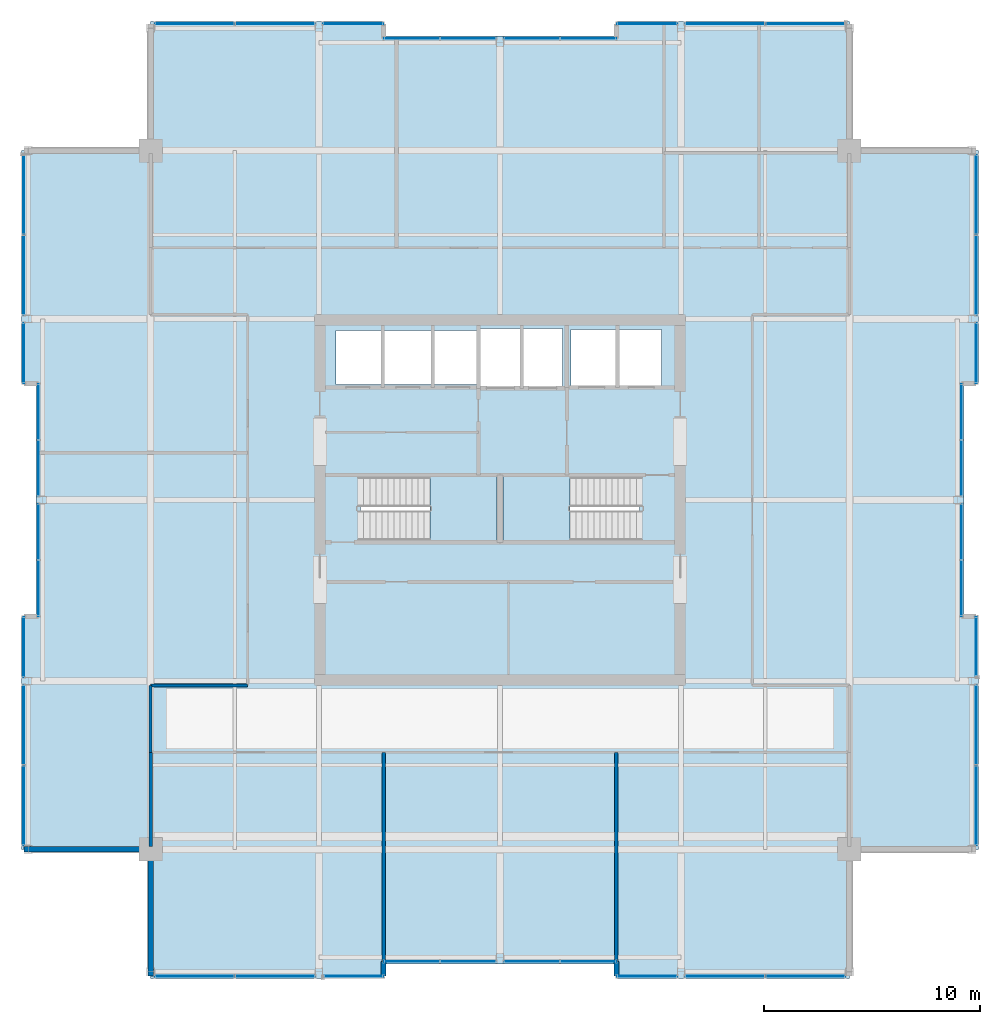
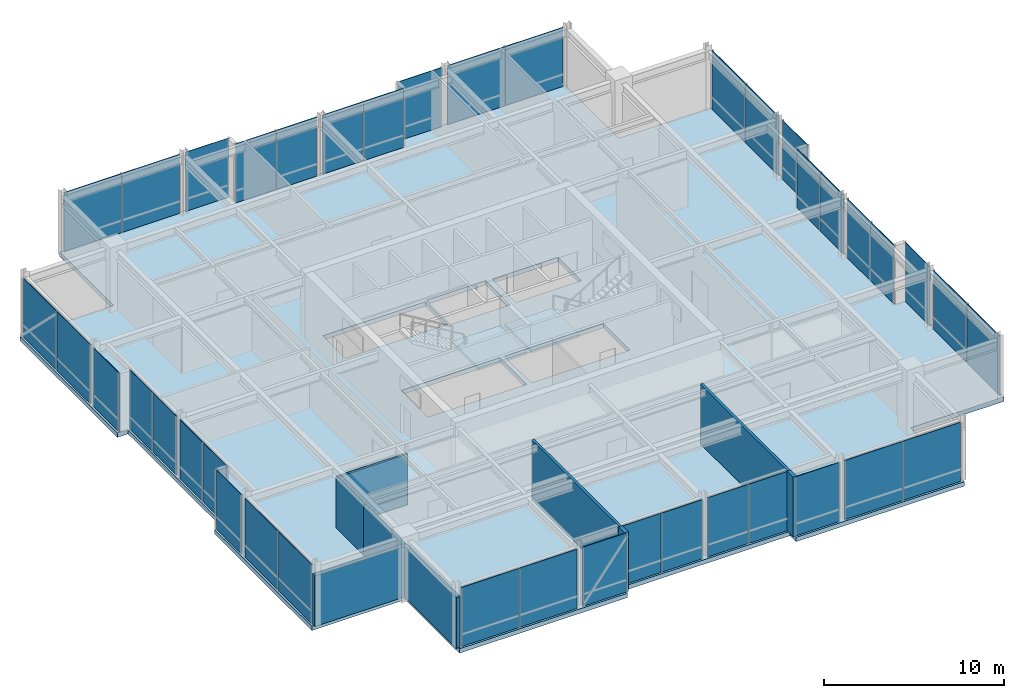
# One storey, part 28 of 33: 40 plates, 9 walls, 3 slabs, 26 elements without a shape of their own.
"""IFC4 building model written with IfcOpenShell, lengths in metres."""

from ifc_helpers import new_model, si_unit, direction, frame, frame_2d, origin, origin_2d, place, context, subcontext, project, spatial, polyline, rectangle, outline, extrude, material, layer, layer_set, type_object, element, aggregate, save


model = new_model("IFC4")

# Units and contexts
model_context = context("Model", 3, precision=1e-05, world=origin(), true_north=direction((0.0, 1.0)))
body_context = subcontext(model_context, "Body", "Model", "MODEL_VIEW")
ifc_project = project(units=[si_unit("LENGTHUNIT", "METRE"), si_unit("AREAUNIT", "SQUARE_METRE"), si_unit("VOLUMEUNIT", "CUBIC_METRE"), si_unit("PLANEANGLEUNIT", "RADIAN"), si_unit("MASSUNIT", "GRAM", prefix="KILO")], contexts=[model_context])

# Site, building, storey
site_placement = place(None, origin())
site = spatial("IfcSite", under=ifc_project, at=site_placement, CompositionType="ELEMENT")
building_placement = place(site_placement, origin())
building = spatial("IfcBuilding", under=site, at=building_placement, Name="Drelvath Grand Hotel", CompositionType="ELEMENT")
storey_placement = place(building_placement, frame((0.0, 0.0, 298.60009765625)))
storey = spatial("IfcBuildingStorey", under=building, at=storey_placement, Name="L78", CompositionType="ELEMENT", Elevation=298.60009765625)

# Slab
ifc_material_1 = material(Name="Concrete f'c 40 MPa", Category="concrete")
ifc_layer_1 = layer(ifc_material_1, 0.300048828125)
ifc_layer_set_1 = layer_set([ifc_layer_1], Name="Concrete f'c 40 MPa")
slab_type_1 = type_object("IfcSlabType", Name="Composite RC Floor Slab 300", PredefinedType="FLOOR", material=ifc_layer_set_1)
slab_1_placement = place(storey_placement, frame((0.0, 0.0, -0.300048828125)))
element("IfcSlab", 1, at=slab_1_placement, inside=storey, type_object=slab_type_1, Name="L78 Structural Floor Slab", PredefinedType="FLOOR", context=body_context, shape_type="SweptSolid", body=[
    extrude(outline(polyline([(-16.199951171875, 4.800048828125), (-5.39990234375, 4.800048828125), (-5.39990234375, 5.47998046875), (5.39990234375, 5.47998046875), (5.39990234375, 4.800048828125), (16.199951171875, 4.800048828125), (16.199951171875, 10.800048828125), (22.199951171875, 10.800048828125), (22.199951171875, 21.60009765625), (21.52001953125, 21.60009765625), (21.52001953125, 32.39990234375), (22.199951171875, 32.39990234375), (22.199951171875, 43.199951171875), (16.199951171875, 43.199951171875), (16.199951171875, 49.199951171875), (5.39990234375, 49.199951171875), (5.39990234375, 48.52001953125), (-5.39990234375, 48.52001953125), (-5.39990234375, 49.199951171875), (-16.199951171875, 49.199951171875), (-16.199951171875, 43.199951171875), (-22.199951171875, 43.199951171875), (-22.199951171875, 32.39990234375), (-21.52001953125, 32.39990234375), (-21.52001953125, 21.60009765625), (-22.199951171875, 21.60009765625), (-22.199951171875, 10.800048828125), (-16.199951171875, 10.800048828125), (-16.199951171875, 4.800048828125)]), holes=[polyline([(-6.47998046875, 25.1201171875), (-6.47998046875, 28.080078125), (-0.14990234375, 28.080078125), (-0.14990234375, 25.1201171875), (-6.47998046875, 25.1201171875)]), polyline([(0.14990234375, 25.1201171875), (0.14990234375, 28.080078125), (6.47998046875, 28.080078125), (6.47998046875, 25.1201171875), (0.14990234375, 25.1201171875)]), polyline([(-7.60009765625, 32.35009765625), (-7.60009765625, 34.85009765625), (-1.02001953125, 34.85009765625), (-1.02001953125, 32.35009765625), (-7.60009765625, 32.35009765625)]), polyline([(-0.89990234375, 32.25), (-0.89990234375, 34.949951171875), (2.89990234375, 34.949951171875), (2.89990234375, 32.25), (-0.89990234375, 32.25)]), polyline([(3.300048828125, 32.300048828125), (3.300048828125, 34.89990234375), (7.5, 34.89990234375), (7.5, 32.300048828125), (3.300048828125, 32.300048828125)])]), origin(), (0.0, 0.0, 1.0), 0.300048828125),
])

# Stair, slab
ifc_material_2 = material(Name="Concrete C40/50", Category="concrete")
stair_type = type_object("IfcStairType", Name="Dogleg Exit Stair W1400-R169.2", PredefinedType="HALF_TURN_STAIR", material=ifc_material_2)
stair_1_placement = place(storey_placement, origin())
stair_1 = element("IfcStair", 2, at=stair_1_placement, inside=storey, type_object=stair_type, Name="L78 Core Exit Stair ST-1", PredefinedType="HALF_TURN_STAIR")
ifc_layer_2 = layer(ifc_material_2, 0.199951171875)
ifc_layer_set_2 = layer_set([ifc_layer_2], Name="Concrete C40/50")
slab_type_2 = type_object("IfcSlabType", Name="Concrete Stair Landing Slab 200", PredefinedType="LANDING", material=ifc_layer_set_2)
slab_2_placement = place(storey_placement, frame((0.0, 0.0, 2.0)))
slab_2 = element("IfcSlab", 3, at=slab_2_placement, type_object=slab_type_2, Name="ST-1 landing 1", PredefinedType="LANDING", context=body_context, shape_type="SweptSolid", body=[
    extrude(outline(polyline([(-3.239990234375, 25.1201171875), (-0.14990234375, 25.1201171875), (-0.14990234375, 28.080078125), (-3.239990234375, 28.080078125), (-3.239990234375, 25.1201171875)])), origin(), (0.0, 0.0, 1.0), 0.199951171875),
])
aggregate(stair_1, [slab_2])

stair_2_placement = place(storey_placement, origin())
stair_2 = element("IfcStair", 4, at=stair_2_placement, inside=storey, type_object=stair_type, Name="L78 Core Exit Stair ST-2", PredefinedType="HALF_TURN_STAIR")
slab_3_placement = place(storey_placement, frame((0.0, 0.0, 2.0)))
slab_3 = element("IfcSlab", 5, at=slab_3_placement, type_object=slab_type_2, Name="ST-2 landing 1", PredefinedType="LANDING", context=body_context, shape_type="SweptSolid", body=[
    extrude(outline(polyline([(3.239990234375, 28.080078125), (0.14990234375, 28.080078125), (0.14990234375, 25.1201171875), (3.239990234375, 25.1201171875), (3.239990234375, 28.080078125)])), origin(), (0.0, 0.0, 1.0), 0.199951171875),
])
aggregate(stair_2, [slab_3])

# Curtain wall, plates
ifc_material_3 = material(Name="Platinum-Mist Anodised Aluminium Frame", Category="aluminium")
ifc_layer_3 = layer(ifc_material_3, 0.199951171875)
ifc_layer_set_3 = layer_set([ifc_layer_3], Name="Platinum-Mist Anodised Aluminium Frame")
curtain_wall_type = type_object("IfcCurtainWallType", Name="Stick Curtain Wall CW-05 Platinum Mist High-Rise", PredefinedType="NOTDEFINED", material=ifc_layer_set_3)
curtain_wall_1_placement = place(storey_placement, origin())
curtain_wall_1 = element("IfcCurtainWall", 6, at=curtain_wall_1_placement, inside=storey, type_object=curtain_wall_type, Name="L78 CW-05 Curtain Wall CW05-L78-WS1", PredefinedType="NOTDEFINED")
ifc_material_4 = material(Name="Low-E Triple Silver High-Altitude Glass", Category="glass")
ifc_layer_4 = layer(ifc_material_4, 0.035888671875)
ifc_layer_set_4 = layer_set([ifc_layer_4], Name="Low-E Triple Silver High-Altitude Glass")
plate_type = type_object("IfcPlateType", Name="Curtain Wall Vision Panel CW-05 36mm", PredefinedType="CURTAIN_PANEL", material=ifc_layer_set_4)
plate_1_placement = place(storey_placement, frame((-22.080078125, 12.835205078125, 0.02001953125), z_axis=(0.0, 0.0, 1.0), x_axis=(0.0, 1.0, 0.0)))
plate_1 = element("IfcPlate", 7, at=plate_1_placement, type_object=plate_type, Name="CW05-L78-WS1 Glazed Panel 1", PredefinedType="CURTAIN_PANEL", context=body_context, shape_type="SweptSolid", body=[
    extrude(rectangle(XDim=3.68994140625, YDim=0.035888671875, at=origin_2d()), origin(), (0.0, 0.0, 1.0), 4.010009765625),
])
plate_2_placement = place(storey_placement, frame((-22.080078125, 16.56494140625, 0.02001953125), z_axis=(0.0, 0.0, 1.0), x_axis=(0.0, 1.0, 0.0)))
plate_2 = element("IfcPlate", 8, at=plate_2_placement, type_object=plate_type, Name="CW05-L78-WS1 Glazed Panel 2", PredefinedType="CURTAIN_PANEL", context=body_context, shape_type="SweptSolid", body=[
    extrude(rectangle(XDim=3.68994140625, YDim=0.035888671875, at=origin_2d()), origin(), (0.0, 0.0, 1.0), 4.010009765625),
])
aggregate(curtain_wall_1, [plate_1, plate_2])

# Curtain wall, plate
curtain_wall_2_placement = place(storey_placement, origin())
curtain_wall_2 = element("IfcCurtainWall", 9, at=curtain_wall_2_placement, inside=storey, type_object=curtain_wall_type, Name="L78 CW-05 Curtain Wall CW05-L78-WS2", PredefinedType="NOTDEFINED")
plate_3_placement = place(storey_placement, frame((-22.080078125, 20.18505859375, 0.02001953125), z_axis=(0.0, 0.0, 1.0), x_axis=(0.0, 1.0, 0.0)))
plate_3 = element("IfcPlate", 10, at=plate_3_placement, type_object=plate_type, Name="CW05-L78-WS2 Glazed Panel 1", PredefinedType="CURTAIN_PANEL", context=body_context, shape_type="SweptSolid", body=[
    extrude(rectangle(XDim=2.789794921875, YDim=0.035888671875, at=origin_2d()), origin(), (0.0, 0.0, 1.0), 4.010009765625),
])
aggregate(curtain_wall_2, [plate_3])

# Curtain wall, plates
curtain_wall_3_placement = place(storey_placement, origin())
curtain_wall_3 = element("IfcCurtainWall", 11, at=curtain_wall_3_placement, inside=storey, type_object=curtain_wall_type, Name="L78 CW-05 Curtain Wall CW05-L78-WM1", PredefinedType="NOTDEFINED")
plate_4_placement = place(storey_placement, frame((-21.39990234375, 22.907470703125, 0.02001953125), z_axis=(0.0, 0.0, 1.0), x_axis=(0.0, 1.0, 0.0)))
plate_4 = element("IfcPlate", 12, at=plate_4_placement, type_object=plate_type, Name="CW05-L78-WM1 Glazed Panel 1", PredefinedType="CURTAIN_PANEL", context=body_context, shape_type="SweptSolid", body=[
    extrude(rectangle(XDim=2.574951171875, YDim=0.035888671875, at=origin_2d()), origin(), (0.0, 0.0, 1.0), 4.010009765625),
])
plate_5_placement = place(storey_placement, frame((-21.39990234375, 25.5224609375, 0.02001953125), z_axis=(0.0, 0.0, 1.0), x_axis=(0.0, 1.0, 0.0)))
plate_5 = element("IfcPlate", 13, at=plate_5_placement, type_object=plate_type, Name="CW05-L78-WM1 Glazed Panel 2", PredefinedType="CURTAIN_PANEL", context=body_context, shape_type="SweptSolid", body=[
    extrude(rectangle(XDim=2.574951171875, YDim=0.035888671875, at=origin_2d()), origin(), (0.0, 0.0, 1.0), 4.010009765625),
])
aggregate(curtain_wall_3, [plate_4, plate_5])

curtain_wall_4_placement = place(storey_placement, origin())
curtain_wall_4 = element("IfcCurtainWall", 14, at=curtain_wall_4_placement, inside=storey, type_object=curtain_wall_type, Name="L78 CW-05 Curtain Wall CW05-L78-WM2", PredefinedType="NOTDEFINED")
plate_6_placement = place(storey_placement, frame((-21.39990234375, 28.4775390625, 0.02001953125), z_axis=(0.0, 0.0, 1.0), x_axis=(0.0, 1.0, 0.0)))
plate_6 = element("IfcPlate", 15, at=plate_6_placement, type_object=plate_type, Name="CW05-L78-WM2 Glazed Panel 1", PredefinedType="CURTAIN_PANEL", context=body_context, shape_type="SweptSolid", body=[
    extrude(rectangle(XDim=2.574951171875, YDim=0.035888671875, at=origin_2d()), origin(), (0.0, 0.0, 1.0), 4.010009765625),
])
plate_7_placement = place(storey_placement, frame((-21.39990234375, 31.092529296875, 0.02001953125), z_axis=(0.0, 0.0, 1.0), x_axis=(0.0, 1.0, 0.0)))
plate_7 = element("IfcPlate", 16, at=plate_7_placement, type_object=plate_type, Name="CW05-L78-WM2 Glazed Panel 2", PredefinedType="CURTAIN_PANEL", context=body_context, shape_type="SweptSolid", body=[
    extrude(rectangle(XDim=2.574951171875, YDim=0.035888671875, at=origin_2d()), origin(), (0.0, 0.0, 1.0), 4.010009765625),
])
aggregate(curtain_wall_4, [plate_6, plate_7])

# Curtain wall, plate
curtain_wall_5_placement = place(storey_placement, origin())
curtain_wall_5 = element("IfcCurtainWall", 17, at=curtain_wall_5_placement, inside=storey, type_object=curtain_wall_type, Name="L78 CW-05 Curtain Wall CW05-L78-WN1", PredefinedType="NOTDEFINED")
plate_8_placement = place(storey_placement, frame((-22.080078125, 33.81494140625, 0.02001953125), z_axis=(0.0, 0.0, 1.0), x_axis=(0.0, 1.0, 0.0)))
plate_8 = element("IfcPlate", 18, at=plate_8_placement, type_object=plate_type, Name="CW05-L78-WN1 Glazed Panel 1", PredefinedType="CURTAIN_PANEL", context=body_context, shape_type="SweptSolid", body=[
    extrude(rectangle(XDim=2.7900390625, YDim=0.035888671875, at=origin_2d()), origin(), (0.0, 0.0, 1.0), 4.010009765625),
])
aggregate(curtain_wall_5, [plate_8])

# Curtain wall, plates
curtain_wall_6_placement = place(storey_placement, origin())
curtain_wall_6 = element("IfcCurtainWall", 19, at=curtain_wall_6_placement, inside=storey, type_object=curtain_wall_type, Name="L78 CW-05 Curtain Wall CW05-L78-WN2", PredefinedType="NOTDEFINED")
plate_9_placement = place(storey_placement, frame((-22.080078125, 37.43505859375, 0.02001953125), z_axis=(0.0, 0.0, 1.0), x_axis=(0.0, 1.0, 0.0)))
plate_9 = element("IfcPlate", 20, at=plate_9_placement, type_object=plate_type, Name="CW05-L78-WN2 Glazed Panel 1", PredefinedType="CURTAIN_PANEL", context=body_context, shape_type="SweptSolid", body=[
    extrude(rectangle(XDim=3.68994140625, YDim=0.035888671875, at=origin_2d()), origin(), (0.0, 0.0, 1.0), 4.010009765625),
])
plate_10_placement = place(storey_placement, frame((-22.080078125, 41.1650390625, 0.02001953125), z_axis=(0.0, 0.0, 1.0), x_axis=(0.0, 1.0, 0.0)))
plate_10 = element("IfcPlate", 21, at=plate_10_placement, type_object=plate_type, Name="CW05-L78-WN2 Glazed Panel 2", PredefinedType="CURTAIN_PANEL", context=body_context, shape_type="SweptSolid", body=[
    extrude(rectangle(XDim=3.68994140625, YDim=0.035888671875, at=origin_2d()), origin(), (0.0, 0.0, 1.0), 4.010009765625),
])
aggregate(curtain_wall_6, [plate_9, plate_10])

# Curtain wall, plate
curtain_wall_7_placement = place(storey_placement, origin())
curtain_wall_7 = element("IfcCurtainWall", 22, at=curtain_wall_7_placement, inside=storey, type_object=curtain_wall_type, Name="L78 CW-05 Curtain Wall CW05-L78-EN1", PredefinedType="NOTDEFINED")
plate_11_placement = place(storey_placement, frame((22.080078125, 33.81494140625, 0.02001953125), z_axis=(0.0, 0.0, 1.0), x_axis=(0.0, -1.0, 0.0)))
plate_11 = element("IfcPlate", 23, at=plate_11_placement, type_object=plate_type, Name="CW05-L78-EN1 Glazed Panel 1", PredefinedType="CURTAIN_PANEL", context=body_context, shape_type="SweptSolid", body=[
    extrude(rectangle(XDim=2.7900390625, YDim=0.035888671875, at=origin_2d()), origin(), (0.0, 0.0, 1.0), 4.010009765625),
])
aggregate(curtain_wall_7, [plate_11])

# Curtain wall, plates
curtain_wall_8_placement = place(storey_placement, origin())
curtain_wall_8 = element("IfcCurtainWall", 24, at=curtain_wall_8_placement, inside=storey, type_object=curtain_wall_type, Name="L78 CW-05 Curtain Wall CW05-L78-EN2", PredefinedType="NOTDEFINED")
plate_12_placement = place(storey_placement, frame((22.080078125, 41.1650390625, 0.02001953125), z_axis=(0.0, 0.0, 1.0), x_axis=(0.0, -1.0, 0.0)))
plate_12 = element("IfcPlate", 25, at=plate_12_placement, type_object=plate_type, Name="CW05-L78-EN2 Glazed Panel 1", PredefinedType="CURTAIN_PANEL", context=body_context, shape_type="SweptSolid", body=[
    extrude(rectangle(XDim=3.68994140625, YDim=0.035888671875, at=origin_2d()), origin(), (0.0, 0.0, 1.0), 4.010009765625),
])
plate_13_placement = place(storey_placement, frame((22.080078125, 37.43505859375, 0.02001953125), z_axis=(0.0, 0.0, 1.0), x_axis=(0.0, -1.0, 0.0)))
plate_13 = element("IfcPlate", 26, at=plate_13_placement, type_object=plate_type, Name="CW05-L78-EN2 Glazed Panel 2", PredefinedType="CURTAIN_PANEL", context=body_context, shape_type="SweptSolid", body=[
    extrude(rectangle(XDim=3.68994140625, YDim=0.035888671875, at=origin_2d()), origin(), (0.0, 0.0, 1.0), 4.010009765625),
])
aggregate(curtain_wall_8, [plate_12, plate_13])

curtain_wall_9_placement = place(storey_placement, origin())
curtain_wall_9 = element("IfcCurtainWall", 27, at=curtain_wall_9_placement, inside=storey, type_object=curtain_wall_type, Name="L78 CW-05 Curtain Wall CW05-L78-EM1", PredefinedType="NOTDEFINED")
plate_14_placement = place(storey_placement, frame((21.39990234375, 25.5224609375, 0.02001953125), z_axis=(0.0, 0.0, 1.0), x_axis=(0.0, -1.0, 0.0)))
plate_14 = element("IfcPlate", 28, at=plate_14_placement, type_object=plate_type, Name="CW05-L78-EM1 Glazed Panel 1", PredefinedType="CURTAIN_PANEL", context=body_context, shape_type="SweptSolid", body=[
    extrude(rectangle(XDim=2.574951171875, YDim=0.035888671875, at=origin_2d()), origin(), (0.0, 0.0, 1.0), 4.010009765625),
])
plate_15_placement = place(storey_placement, frame((21.39990234375, 22.907470703125, 0.02001953125), z_axis=(0.0, 0.0, 1.0), x_axis=(0.0, -1.0, 0.0)))
plate_15 = element("IfcPlate", 29, at=plate_15_placement, type_object=plate_type, Name="CW05-L78-EM1 Glazed Panel 2", PredefinedType="CURTAIN_PANEL", context=body_context, shape_type="SweptSolid", body=[
    extrude(rectangle(XDim=2.574951171875, YDim=0.035888671875, at=origin_2d()), origin(), (0.0, 0.0, 1.0), 4.010009765625),
])
aggregate(curtain_wall_9, [plate_14, plate_15])

curtain_wall_10_placement = place(storey_placement, origin())
curtain_wall_10 = element("IfcCurtainWall", 30, at=curtain_wall_10_placement, inside=storey, type_object=curtain_wall_type, Name="L78 CW-05 Curtain Wall CW05-L78-EM2", PredefinedType="NOTDEFINED")
plate_16_placement = place(storey_placement, frame((21.39990234375, 31.092529296875, 0.02001953125), z_axis=(0.0, 0.0, 1.0), x_axis=(0.0, -1.0, 0.0)))
plate_16 = element("IfcPlate", 31, at=plate_16_placement, type_object=plate_type, Name="CW05-L78-EM2 Glazed Panel 1", PredefinedType="CURTAIN_PANEL", context=body_context, shape_type="SweptSolid", body=[
    extrude(rectangle(XDim=2.574951171875, YDim=0.035888671875, at=origin_2d()), origin(), (0.0, 0.0, 1.0), 4.010009765625),
])
plate_17_placement = place(storey_placement, frame((21.39990234375, 28.4775390625, 0.02001953125), z_axis=(0.0, 0.0, 1.0), x_axis=(0.0, -1.0, 0.0)))
plate_17 = element("IfcPlate", 32, at=plate_17_placement, type_object=plate_type, Name="CW05-L78-EM2 Glazed Panel 2", PredefinedType="CURTAIN_PANEL", context=body_context, shape_type="SweptSolid", body=[
    extrude(rectangle(XDim=2.574951171875, YDim=0.035888671875, at=origin_2d()), origin(), (0.0, 0.0, 1.0), 4.010009765625),
])
aggregate(curtain_wall_10, [plate_16, plate_17])

curtain_wall_11_placement = place(storey_placement, origin())
curtain_wall_11 = element("IfcCurtainWall", 33, at=curtain_wall_11_placement, inside=storey, type_object=curtain_wall_type, Name="L78 CW-05 Curtain Wall CW05-L78-ES1", PredefinedType="NOTDEFINED")
plate_18_placement = place(storey_placement, frame((22.080078125, 16.56494140625, 0.02001953125), z_axis=(0.0, 0.0, 1.0), x_axis=(0.0, -1.0, 0.0)))
plate_18 = element("IfcPlate", 34, at=plate_18_placement, type_object=plate_type, Name="CW05-L78-ES1 Glazed Panel 1", PredefinedType="CURTAIN_PANEL", context=body_context, shape_type="SweptSolid", body=[
    extrude(rectangle(XDim=3.68994140625, YDim=0.035888671875, at=origin_2d()), origin(), (0.0, 0.0, 1.0), 4.010009765625),
])
plate_19_placement = place(storey_placement, frame((22.080078125, 12.835205078125, 0.02001953125), z_axis=(0.0, 0.0, 1.0), x_axis=(0.0, -1.0, 0.0)))
plate_19 = element("IfcPlate", 35, at=plate_19_placement, type_object=plate_type, Name="CW05-L78-ES1 Glazed Panel 2", PredefinedType="CURTAIN_PANEL", context=body_context, shape_type="SweptSolid", body=[
    extrude(rectangle(XDim=3.68994140625, YDim=0.035888671875, at=origin_2d()), origin(), (0.0, 0.0, 1.0), 4.010009765625),
])
aggregate(curtain_wall_11, [plate_18, plate_19])

# Curtain wall, plate
curtain_wall_12_placement = place(storey_placement, origin())
curtain_wall_12 = element("IfcCurtainWall", 36, at=curtain_wall_12_placement, inside=storey, type_object=curtain_wall_type, Name="L78 CW-05 Curtain Wall CW05-L78-ES2", PredefinedType="NOTDEFINED")
plate_20_placement = place(storey_placement, frame((22.080078125, 20.18505859375, 0.02001953125), z_axis=(0.0, 0.0, 1.0), x_axis=(0.0, -1.0, 0.0)))
plate_20 = element("IfcPlate", 37, at=plate_20_placement, type_object=plate_type, Name="CW05-L78-ES2 Glazed Panel 1", PredefinedType="CURTAIN_PANEL", context=body_context, shape_type="SweptSolid", body=[
    extrude(rectangle(XDim=2.789794921875, YDim=0.035888671875, at=origin_2d()), origin(), (0.0, 0.0, 1.0), 4.010009765625),
])
aggregate(curtain_wall_12, [plate_20])

# Curtain wall, plates
curtain_wall_13_placement = place(storey_placement, origin())
curtain_wall_13 = element("IfcCurtainWall", 38, at=curtain_wall_13_placement, inside=storey, type_object=curtain_wall_type, Name="L78 CW-05 Curtain Wall CW05-L78-NW1", PredefinedType="NOTDEFINED")
plate_21_placement = place(storey_placement, frame((-14.1650390625, 49.080078125, 0.02001953125), z_axis=(0.0, 0.0, 1.0), x_axis=(1.0, 0.0, 0.0)))
plate_21 = element("IfcPlate", 39, at=plate_21_placement, type_object=plate_type, Name="CW05-L78-NW1 Glazed Panel 1", PredefinedType="CURTAIN_PANEL", context=body_context, shape_type="SweptSolid", body=[
    extrude(rectangle(XDim=3.68994140625, YDim=0.035888671875, at=origin_2d()), origin(), (0.0, 0.0, 1.0), 4.010009765625),
])
plate_22_placement = place(storey_placement, frame((-10.43505859375, 49.080078125, 0.02001953125), z_axis=(0.0, 0.0, 1.0), x_axis=(1.0, 0.0, 0.0)))
plate_22 = element("IfcPlate", 40, at=plate_22_placement, type_object=plate_type, Name="CW05-L78-NW1 Glazed Panel 2", PredefinedType="CURTAIN_PANEL", context=body_context, shape_type="SweptSolid", body=[
    extrude(rectangle(XDim=3.68994140625, YDim=0.035888671875, at=origin_2d()), origin(), (0.0, 0.0, 1.0), 4.010009765625),
])
aggregate(curtain_wall_13, [plate_21, plate_22])

# Curtain wall, plate
curtain_wall_14_placement = place(storey_placement, origin())
curtain_wall_14 = element("IfcCurtainWall", 41, at=curtain_wall_14_placement, inside=storey, type_object=curtain_wall_type, Name="L78 CW-05 Curtain Wall CW05-L78-NW2", PredefinedType="NOTDEFINED")
plate_23_placement = place(storey_placement, frame((-6.81494140625, 49.080078125, 0.02001953125), z_axis=(0.0, 0.0, 1.0), x_axis=(1.0, 0.0, 0.0)))
plate_23 = element("IfcPlate", 42, at=plate_23_placement, type_object=plate_type, Name="CW05-L78-NW2 Glazed Panel 1", PredefinedType="CURTAIN_PANEL", context=body_context, shape_type="SweptSolid", body=[
    extrude(rectangle(XDim=2.789794921875, YDim=0.035888671875, at=origin_2d()), origin(), (0.0, 0.0, 1.0), 4.010009765625),
])
aggregate(curtain_wall_14, [plate_23])

# Curtain wall, plates
curtain_wall_15_placement = place(storey_placement, origin())
curtain_wall_15 = element("IfcCurtainWall", 43, at=curtain_wall_15_placement, inside=storey, type_object=curtain_wall_type, Name="L78 CW-05 Curtain Wall CW05-L78-NM1", PredefinedType="NOTDEFINED")
plate_24_placement = place(storey_placement, frame((-4.092529296875, 48.39990234375, 0.02001953125), z_axis=(0.0, 0.0, 1.0), x_axis=(1.0, 0.0, 0.0)))
plate_24 = element("IfcPlate", 44, at=plate_24_placement, type_object=plate_type, Name="CW05-L78-NM1 Glazed Panel 1", PredefinedType="CURTAIN_PANEL", context=body_context, shape_type="SweptSolid", body=[
    extrude(rectangle(XDim=2.574951171875, YDim=0.035888671875, at=origin_2d()), origin(), (0.0, 0.0, 1.0), 4.010009765625),
])
plate_25_placement = place(storey_placement, frame((-1.4775390625, 48.39990234375, 0.02001953125), z_axis=(0.0, 0.0, 1.0), x_axis=(1.0, 0.0, 0.0)))
plate_25 = element("IfcPlate", 45, at=plate_25_placement, type_object=plate_type, Name="CW05-L78-NM1 Glazed Panel 2", PredefinedType="CURTAIN_PANEL", context=body_context, shape_type="SweptSolid", body=[
    extrude(rectangle(XDim=2.574951171875, YDim=0.035888671875, at=origin_2d()), origin(), (0.0, 0.0, 1.0), 4.010009765625),
])
aggregate(curtain_wall_15, [plate_24, plate_25])

curtain_wall_16_placement = place(storey_placement, origin())
curtain_wall_16 = element("IfcCurtainWall", 46, at=curtain_wall_16_placement, inside=storey, type_object=curtain_wall_type, Name="L78 CW-05 Curtain Wall CW05-L78-NM2", PredefinedType="NOTDEFINED")
plate_26_placement = place(storey_placement, frame((1.4775390625, 48.39990234375, 0.02001953125), z_axis=(0.0, 0.0, 1.0), x_axis=(1.0, 0.0, 0.0)))
plate_26 = element("IfcPlate", 47, at=plate_26_placement, type_object=plate_type, Name="CW05-L78-NM2 Glazed Panel 1", PredefinedType="CURTAIN_PANEL", context=body_context, shape_type="SweptSolid", body=[
    extrude(rectangle(XDim=2.574951171875, YDim=0.035888671875, at=origin_2d()), origin(), (0.0, 0.0, 1.0), 4.010009765625),
])
plate_27_placement = place(storey_placement, frame((4.092529296875, 48.39990234375, 0.02001953125), z_axis=(0.0, 0.0, 1.0), x_axis=(1.0, 0.0, 0.0)))
plate_27 = element("IfcPlate", 48, at=plate_27_placement, type_object=plate_type, Name="CW05-L78-NM2 Glazed Panel 2", PredefinedType="CURTAIN_PANEL", context=body_context, shape_type="SweptSolid", body=[
    extrude(rectangle(XDim=2.574951171875, YDim=0.035888671875, at=origin_2d()), origin(), (0.0, 0.0, 1.0), 4.010009765625),
])
aggregate(curtain_wall_16, [plate_26, plate_27])

# Curtain wall, plate
curtain_wall_17_placement = place(storey_placement, origin())
curtain_wall_17 = element("IfcCurtainWall", 49, at=curtain_wall_17_placement, inside=storey, type_object=curtain_wall_type, Name="L78 CW-05 Curtain Wall CW05-L78-NE1", PredefinedType="NOTDEFINED")
plate_28_placement = place(storey_placement, frame((6.81494140625, 49.080078125, 0.02001953125), z_axis=(0.0, 0.0, 1.0), x_axis=(1.0, 0.0, 0.0)))
plate_28 = element("IfcPlate", 50, at=plate_28_placement, type_object=plate_type, Name="CW05-L78-NE1 Glazed Panel 1", PredefinedType="CURTAIN_PANEL", context=body_context, shape_type="SweptSolid", body=[
    extrude(rectangle(XDim=2.789794921875, YDim=0.035888671875, at=origin_2d()), origin(), (0.0, 0.0, 1.0), 4.010009765625),
])
aggregate(curtain_wall_17, [plate_28])

# Curtain wall, plates
curtain_wall_18_placement = place(storey_placement, origin())
curtain_wall_18 = element("IfcCurtainWall", 51, at=curtain_wall_18_placement, inside=storey, type_object=curtain_wall_type, Name="L78 CW-05 Curtain Wall CW05-L78-NE2", PredefinedType="NOTDEFINED")
plate_29_placement = place(storey_placement, frame((10.43505859375, 49.080078125, 0.02001953125), z_axis=(0.0, 0.0, 1.0), x_axis=(1.0, 0.0, 0.0)))
plate_29 = element("IfcPlate", 52, at=plate_29_placement, type_object=plate_type, Name="CW05-L78-NE2 Glazed Panel 1", PredefinedType="CURTAIN_PANEL", context=body_context, shape_type="SweptSolid", body=[
    extrude(rectangle(XDim=3.68994140625, YDim=0.035888671875, at=origin_2d()), origin(), (0.0, 0.0, 1.0), 4.010009765625),
])
plate_30_placement = place(storey_placement, frame((14.1650390625, 49.080078125, 0.02001953125), z_axis=(0.0, 0.0, 1.0), x_axis=(1.0, 0.0, 0.0)))
plate_30 = element("IfcPlate", 53, at=plate_30_placement, type_object=plate_type, Name="CW05-L78-NE2 Glazed Panel 2", PredefinedType="CURTAIN_PANEL", context=body_context, shape_type="SweptSolid", body=[
    extrude(rectangle(XDim=3.68994140625, YDim=0.035888671875, at=origin_2d()), origin(), (0.0, 0.0, 1.0), 4.010009765625),
])
aggregate(curtain_wall_18, [plate_29, plate_30])

# Curtain wall, plate
curtain_wall_19_placement = place(storey_placement, origin())
curtain_wall_19 = element("IfcCurtainWall", 54, at=curtain_wall_19_placement, inside=storey, type_object=curtain_wall_type, Name="L78 CW-05 Curtain Wall CW05-L78-SE1", PredefinedType="NOTDEFINED")
plate_31_placement = place(storey_placement, frame((6.81494140625, 4.919921875, 0.02001953125), z_axis=(0.0, 0.0, 1.0), x_axis=(-1.0, 0.0, 0.0)))
plate_31 = element("IfcPlate", 55, at=plate_31_placement, type_object=plate_type, Name="CW05-L78-SE1 Glazed Panel 1", PredefinedType="CURTAIN_PANEL", context=body_context, shape_type="SweptSolid", body=[
    extrude(rectangle(XDim=2.789794921875, YDim=0.035888671875, at=origin_2d()), origin(), (0.0, 0.0, 1.0), 4.010009765625),
])
aggregate(curtain_wall_19, [plate_31])

# Curtain wall, plates
curtain_wall_20_placement = place(storey_placement, origin())
curtain_wall_20 = element("IfcCurtainWall", 56, at=curtain_wall_20_placement, inside=storey, type_object=curtain_wall_type, Name="L78 CW-05 Curtain Wall CW05-L78-SE2", PredefinedType="NOTDEFINED")
plate_32_placement = place(storey_placement, frame((14.1650390625, 4.919921875, 0.02001953125), z_axis=(0.0, 0.0, 1.0), x_axis=(-1.0, 0.0, 0.0)))
plate_32 = element("IfcPlate", 57, at=plate_32_placement, type_object=plate_type, Name="CW05-L78-SE2 Glazed Panel 1", PredefinedType="CURTAIN_PANEL", context=body_context, shape_type="SweptSolid", body=[
    extrude(rectangle(XDim=3.68994140625, YDim=0.035888671875, at=origin_2d()), origin(), (0.0, 0.0, 1.0), 4.010009765625),
])
plate_33_placement = place(storey_placement, frame((10.43505859375, 4.919921875, 0.02001953125), z_axis=(0.0, 0.0, 1.0), x_axis=(-1.0, 0.0, 0.0)))
plate_33 = element("IfcPlate", 58, at=plate_33_placement, type_object=plate_type, Name="CW05-L78-SE2 Glazed Panel 2", PredefinedType="CURTAIN_PANEL", context=body_context, shape_type="SweptSolid", body=[
    extrude(rectangle(XDim=3.68994140625, YDim=0.035888671875, at=origin_2d()), origin(), (0.0, 0.0, 1.0), 4.010009765625),
])
aggregate(curtain_wall_20, [plate_32, plate_33])

curtain_wall_21_placement = place(storey_placement, origin())
curtain_wall_21 = element("IfcCurtainWall", 59, at=curtain_wall_21_placement, inside=storey, type_object=curtain_wall_type, Name="L78 CW-05 Curtain Wall CW05-L78-SM1", PredefinedType="NOTDEFINED")
plate_34_placement = place(storey_placement, frame((-1.4775390625, 5.60009765625, 0.02001953125), z_axis=(0.0, 0.0, 1.0), x_axis=(-1.0, 0.0, 0.0)))
plate_34 = element("IfcPlate", 60, at=plate_34_placement, type_object=plate_type, Name="CW05-L78-SM1 Glazed Panel 1", PredefinedType="CURTAIN_PANEL", context=body_context, shape_type="SweptSolid", body=[
    extrude(rectangle(XDim=2.574951171875, YDim=0.035888671875, at=origin_2d()), origin(), (0.0, 0.0, 1.0), 4.010009765625),
])
plate_35_placement = place(storey_placement, frame((-4.092529296875, 5.60009765625, 0.02001953125), z_axis=(0.0, 0.0, 1.0), x_axis=(-1.0, 0.0, 0.0)))
plate_35 = element("IfcPlate", 61, at=plate_35_placement, type_object=plate_type, Name="CW05-L78-SM1 Glazed Panel 2", PredefinedType="CURTAIN_PANEL", context=body_context, shape_type="SweptSolid", body=[
    extrude(rectangle(XDim=2.574951171875, YDim=0.035888671875, at=origin_2d()), origin(), (0.0, 0.0, 1.0), 4.010009765625),
])
aggregate(curtain_wall_21, [plate_34, plate_35])

curtain_wall_22_placement = place(storey_placement, origin())
curtain_wall_22 = element("IfcCurtainWall", 62, at=curtain_wall_22_placement, inside=storey, type_object=curtain_wall_type, Name="L78 CW-05 Curtain Wall CW05-L78-SM2", PredefinedType="NOTDEFINED")
plate_36_placement = place(storey_placement, frame((4.092529296875, 5.60009765625, 0.02001953125), z_axis=(0.0, 0.0, 1.0), x_axis=(-1.0, 0.0, 0.0)))
plate_36 = element("IfcPlate", 63, at=plate_36_placement, type_object=plate_type, Name="CW05-L78-SM2 Glazed Panel 1", PredefinedType="CURTAIN_PANEL", context=body_context, shape_type="SweptSolid", body=[
    extrude(rectangle(XDim=2.574951171875, YDim=0.035888671875, at=origin_2d()), origin(), (0.0, 0.0, 1.0), 4.010009765625),
])
plate_37_placement = place(storey_placement, frame((1.4775390625, 5.60009765625, 0.02001953125), z_axis=(0.0, 0.0, 1.0), x_axis=(-1.0, 0.0, 0.0)))
plate_37 = element("IfcPlate", 64, at=plate_37_placement, type_object=plate_type, Name="CW05-L78-SM2 Glazed Panel 2", PredefinedType="CURTAIN_PANEL", context=body_context, shape_type="SweptSolid", body=[
    extrude(rectangle(XDim=2.574951171875, YDim=0.035888671875, at=origin_2d()), origin(), (0.0, 0.0, 1.0), 4.010009765625),
])
aggregate(curtain_wall_22, [plate_36, plate_37])

curtain_wall_23_placement = place(storey_placement, origin())
curtain_wall_23 = element("IfcCurtainWall", 65, at=curtain_wall_23_placement, inside=storey, type_object=curtain_wall_type, Name="L78 CW-05 Curtain Wall CW05-L78-SW1", PredefinedType="NOTDEFINED")
plate_38_placement = place(storey_placement, frame((-10.43505859375, 4.919921875, 0.02001953125), z_axis=(0.0, 0.0, 1.0), x_axis=(-1.0, 0.0, 0.0)))
plate_38 = element("IfcPlate", 66, at=plate_38_placement, type_object=plate_type, Name="CW05-L78-SW1 Glazed Panel 1", PredefinedType="CURTAIN_PANEL", context=body_context, shape_type="SweptSolid", body=[
    extrude(rectangle(XDim=3.68994140625, YDim=0.035888671875, at=origin_2d()), origin(), (0.0, 0.0, 1.0), 4.010009765625),
])
plate_39_placement = place(storey_placement, frame((-14.1650390625, 4.919921875, 0.02001953125), z_axis=(0.0, 0.0, 1.0), x_axis=(-1.0, 0.0, 0.0)))
plate_39 = element("IfcPlate", 67, at=plate_39_placement, type_object=plate_type, Name="CW05-L78-SW1 Glazed Panel 2", PredefinedType="CURTAIN_PANEL", context=body_context, shape_type="SweptSolid", body=[
    extrude(rectangle(XDim=3.68994140625, YDim=0.035888671875, at=origin_2d()), origin(), (0.0, 0.0, 1.0), 4.010009765625),
])
aggregate(curtain_wall_23, [plate_38, plate_39])

# Curtain wall, plate
curtain_wall_24_placement = place(storey_placement, origin())
curtain_wall_24 = element("IfcCurtainWall", 68, at=curtain_wall_24_placement, inside=storey, type_object=curtain_wall_type, Name="L78 CW-05 Curtain Wall CW05-L78-SW2", PredefinedType="NOTDEFINED")
plate_40_placement = place(storey_placement, frame((-6.81494140625, 4.919921875, 0.02001953125), z_axis=(0.0, 0.0, 1.0), x_axis=(-1.0, 0.0, 0.0)))
plate_40 = element("IfcPlate", 69, at=plate_40_placement, type_object=plate_type, Name="CW05-L78-SW2 Glazed Panel 1", PredefinedType="CURTAIN_PANEL", context=body_context, shape_type="SweptSolid", body=[
    extrude(rectangle(XDim=2.789794921875, YDim=0.035888671875, at=origin_2d()), origin(), (0.0, 0.0, 1.0), 4.010009765625),
])
aggregate(curtain_wall_24, [plate_40])

# Walls
ifc_material_5 = material(Name="Gypsum Fireboard Partition")
ifc_layer_5 = layer(ifc_material_5, 0.135009765625)
ifc_layer_set_5 = layer_set([ifc_layer_5], Name="Gypsum Fireboard Partition")
wall_type_1 = type_object("IfcWallType", Name="Corridor Fire Barrier Wall 135", PredefinedType="PARTITIONING", material=ifc_layer_set_5)
wall_1_placement = place(storey_placement, frame((-16.199951171875, 18.39990234375, 0.0), z_axis=(0.0, 0.0, 1.0), x_axis=(1.0, 0.0, 0.0)))
element("IfcWall", 70, at=wall_1_placement, inside=storey, type_object=wall_type_1, Name="L78 Sky SW Spur Inner Wall", PredefinedType="PARTITIONING", context=body_context, shape_type="SweptSolid", body=[
    extrude(rectangle(XDim=4.5, YDim=0.135009765625, at=frame_2d((2.25, 0.0))), origin(), (0.0, 0.0, 1.0), 3.42724609375),
])
wall_2_placement = place(storey_placement, frame((-16.199951171875, 15.300048828125, 0.0), z_axis=(0.0, 0.0, 1.0), x_axis=(0.0, 1.0, 0.0)))
element("IfcWall", 71, at=wall_2_placement, inside=storey, type_object=wall_type_1, Name="L78 Sky South Foyer West End", PredefinedType="PARTITIONING", context=body_context, shape_type="SweptSolid", body=[
    extrude(rectangle(XDim=3.099853515625, YDim=0.135009765625, at=frame_2d((1.5498046875, 0.0))), origin(), (0.0, 0.0, 1.0), 3.423828125),
])
ifc_material_6 = material(Name="Gypsum Acoustic Partition")
ifc_layer_6 = layer(ifc_material_6, 0.1650390625)
ifc_layer_set_6 = layer_set([ifc_layer_6], Name="Gypsum Acoustic Partition")
wall_type_2 = type_object("IfcWallType", Name="Suite Demising Wall 165", PredefinedType="PARTITIONING", material=ifc_layer_set_6)
wall_3_placement = place(storey_placement, frame((-16.199951171875, 10.919921875, 0.0), z_axis=(0.0, 0.0, 1.0), x_axis=(0.0, 1.0, 0.0)))
element("IfcWall", 72, at=wall_3_placement, inside=storey, type_object=wall_type_2, Name="L78 Sky SW Wall", PredefinedType="PARTITIONING", context=body_context, shape_type="SweptSolid", body=[
    extrude(rectangle(XDim=4.380126953125, YDim=0.1650390625, at=frame_2d((2.18994140625, 0.0))), origin(), (0.0, 0.0, 1.0), 3.423828125),
])
for number, where, z_axis, x_axis, name in (
    (73, (-5.39990234375, 5.60009765625, 0.0), (0.0, 0.0, 1.0), (0.0, 1.0, 0.0), "L78 L78 South Split 1"),
    (74, (5.39990234375, 5.60009765625, 0.0), (0.0, 0.0, 1.0), (0.0, 1.0, 0.0), "L78 L78 South Split 2"),
):
    element("IfcWall", number, at=place(storey_placement, frame(where, z_axis=z_axis, x_axis=x_axis)), inside=storey, type_object=wall_type_2, Name=name, PredefinedType="PARTITIONING", context=body_context, shape_type="SweptSolid", body=[
        extrude(rectangle(XDim=9.699951171875, YDim=0.1650390625, at=frame_2d((4.85009765625, 0.0))), origin(), (0.0, 0.0, 1.0), 4.0498046875),
    ])
ifc_material_7 = material(Name="Pale-Metal Insulated Aluminium Spandrel Assembly", Category="aluminium")
ifc_layer_7 = layer(ifc_material_7, 0.239990234375)
ifc_layer_set_7 = layer_set([ifc_layer_7], Name="Pale-Metal Insulated Aluminium Spandrel Assembly")
wall_type_3 = type_object("IfcWallType", Name="Tower Insulated Metal Spandrel Closure Wall 240", PredefinedType="STANDARD", material=ifc_layer_set_7)
for number, where, z_axis, x_axis, name in (
    (75, (-16.199951171875, 4.919921875, 0.0), (0.0, 0.0, 1.0), (0.0, 1.0, 0.0), "L78 Notched Corner Return Spandrel Wall CSW1"),
    (76, (-16.199951171875, 10.800048828125, 0.0), (0.0, 0.0, 1.0), (-1.0, 0.0, 0.0), "L78 Notched Corner Return Spandrel Wall CSW2"),
):
    element("IfcWall", number, at=place(storey_placement, frame(where, z_axis=z_axis, x_axis=x_axis)), inside=storey, type_object=wall_type_3, Name=name, PredefinedType="STANDARD", context=body_context, shape_type="SweptSolid", body=[
        extrude(rectangle(XDim=5.880126953125, YDim=0.239990234375, at=frame_2d((2.93994140625, 0.0))), origin(), (0.0, 0.0, 1.0), 3.438720703125),
    ])
for number, where, z_axis, x_axis, name in (
    (77, (5.39990234375, 4.919921875, 0.0), (0.0, 0.0, 1.0), (0.0, 1.0, 0.0), "L78 Notched Corner Return Spandrel Wall RS1"),
    (78, (-5.39990234375, 5.60009765625, 0.0), (0.0, 0.0, 1.0), (0.0, -1.0, 0.0), "L78 Notched Corner Return Spandrel Wall RS2"),
):
    element("IfcWall", number, at=place(storey_placement, frame(where, z_axis=z_axis, x_axis=x_axis)), inside=storey, type_object=wall_type_3, Name=name, PredefinedType="STANDARD", context=body_context, shape_type="SweptSolid", body=[
        extrude(rectangle(XDim=0.68017578125, YDim=0.239990234375, at=frame_2d((0.340087890625, 0.0))), origin(), (0.0, 0.0, 1.0), 4.0498046875),
    ])

save(model, "model.ifc")
